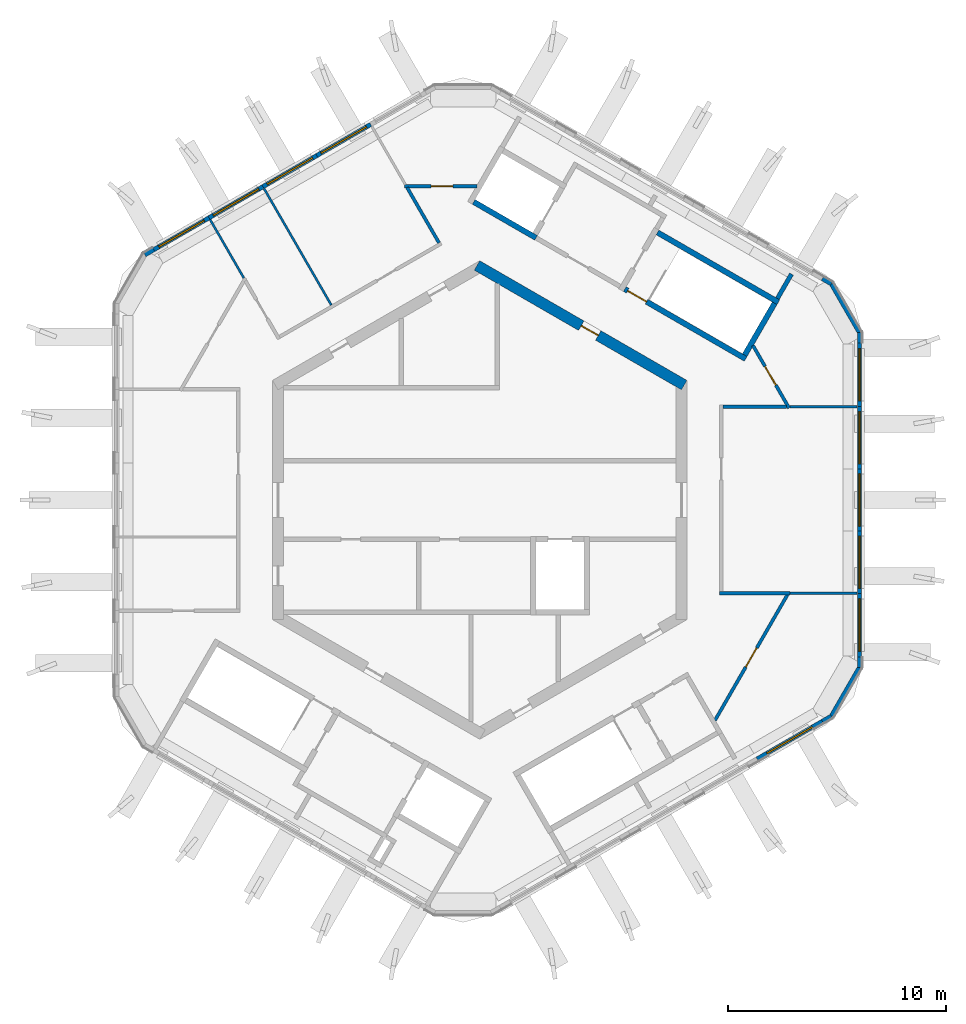
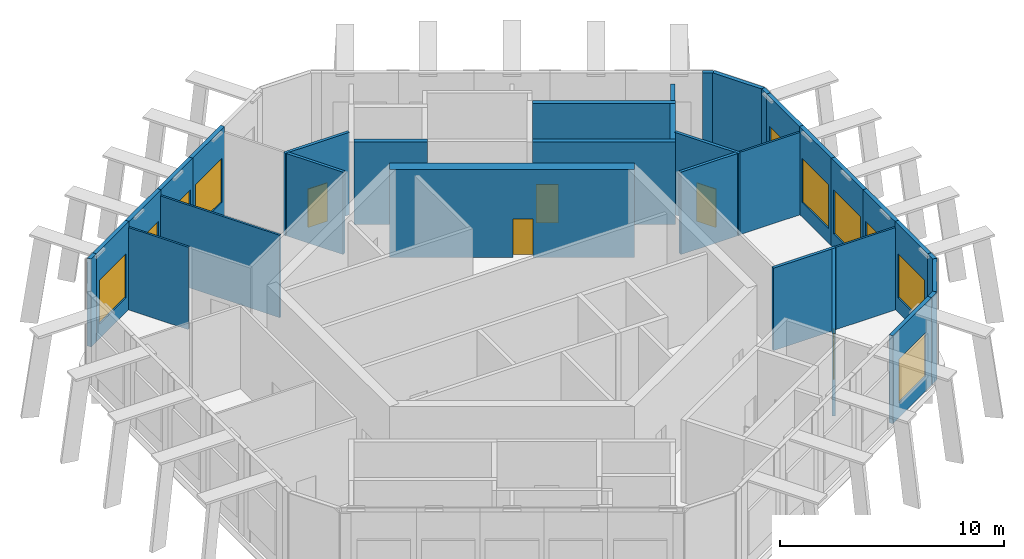
# One storey, part 4 of 8: 33 walls, 10 windows, 5 doors, 15 openings.
"""IFC4 building model written with IfcOpenShell, lengths in metres."""

import ifcopenshell
import ifcopenshell.guid

model = None  # the IFC model being written
_history = None  # IfcOwnerHistory: only IFC2X3 demands one
_inside = {}  # id of a spatial element -> (the spatial element, [elements in it])
_under = {}  # id of a project, library or spatial element -> (it, [spatial elements below it])
_declared = {}  # id of a project -> (the project, [libraries it declares])
_typed = {}  # id of a type object -> (the type object, [elements of that type])
_made_of = {}  # id of a material, layer set ... -> (it, [elements and type objects made of it])


def new_model(schema):
    """Start an empty IFC model of exactly this schema.

    Asked for "IFC4X3", IfcOpenShell would pick the latest addendum, in which some entities
    have other attributes; the version numbers below select the first issue.
    IFC2X3 requires an IfcOwnerHistory on every rooted entity: one is made here for all.
    """
    global model, _history
    if schema == "IFC4X3":
        model = ifcopenshell.file(schema_version=(4, 3, 0, 0))
    else:
        model = ifcopenshell.file(schema=schema)
    _inside.clear()
    _under.clear()
    _declared.clear()
    _typed.clear()
    _made_of.clear()
    _history = None
    if model.schema == "IFC2X3":
        org = make("IfcOrganization", Name="unknown")
        user = make(
            "IfcPersonAndOrganization",
            ThePerson=make("IfcPerson", FamilyName="unknown"),
            TheOrganization=org,
        )
        app = make(
            "IfcApplication",
            ApplicationDeveloper=org,
            Version="unknown",
            ApplicationFullName="unknown",
            ApplicationIdentifier="unknown",
        )
        _history = make(
            "IfcOwnerHistory",
            OwningUser=user,
            OwningApplication=app,
            ChangeAction="ADDED",
            CreationDate=0,
        )
    return model


def make(cls, **values):
    """One entity of the class cls with the attributes given. An attribute that is None is left unset."""
    return model.create_entity(
        cls, **{name: value for name, value in values.items() if value is not None}
    )


def rooted(cls, **values):
    """An entity with a GlobalId (a new one), such as an element, a storey or a relation."""
    return make(cls, GlobalId=ifcopenshell.guid.new(), OwnerHistory=_history, **values)


def si_unit(unit_type, name, prefix=None):
    """IfcSIUnit, for example si_unit("LENGTHUNIT", "METRE", prefix="MILLI")."""
    return make("IfcSIUnit", UnitType=unit_type, Prefix=prefix, Name=name)


def assignment(units):
    """IfcUnitAssignment: the units of a project."""
    return None if units is None else make("IfcUnitAssignment", Units=units)


def point(xyz):
    """IfcCartesianPoint."""
    return None if xyz is None else make("IfcCartesianPoint", Coordinates=xyz)


def direction(xyz):
    """IfcDirection."""
    return None if xyz is None else make("IfcDirection", DirectionRatios=xyz)


def frame(location, z_axis=None, x_axis=None):
    """IfcAxis2Placement3D, a coordinate frame: its origin and axes. An axis left out is left unset."""
    return make(
        "IfcAxis2Placement3D",
        Location=point(location),
        Axis=direction(z_axis),
        RefDirection=direction(x_axis),
    )


def frame_2d(location, x_axis=None):
    """IfcAxis2Placement2D, a coordinate frame in the plane: its origin and x axis."""
    return make(
        "IfcAxis2Placement2D", Location=point(location), RefDirection=direction(x_axis)
    )


def origin():
    """The frame at (0, 0, 0) with its axes left unset."""
    return frame((0.0, 0.0, 0.0))


def place(relative_to, where):
    """IfcLocalPlacement: puts the frame where relative to a parent placement (None: the world)."""
    return make(
        "IfcLocalPlacement", PlacementRelTo=relative_to, RelativePlacement=where
    )


def context(
    kind, dimensions, precision=None, world=None, true_north=None, identifier=None
):
    """IfcGeometricRepresentationContext, for example the 3D "Model" context."""
    return make(
        "IfcGeometricRepresentationContext",
        ContextIdentifier=identifier,
        ContextType=kind,
        CoordinateSpaceDimension=dimensions,
        Precision=precision,
        WorldCoordinateSystem=world,
        TrueNorth=true_north,
    )


def subcontext(parent, identifier, kind, view, scale=None):
    """IfcGeometricRepresentationSubContext, for example "Body" below "Model"."""
    return make(
        "IfcGeometricRepresentationSubContext",
        ContextIdentifier=identifier,
        ContextType=kind,
        ParentContext=parent,
        TargetScale=scale,
        TargetView=view,
    )


def project(units=None, contexts=None):
    """IfcProject with its units and contexts."""
    return rooted(
        "IfcProject",
        Name="project",
        RepresentationContexts=contexts,
        UnitsInContext=assignment(units),
    )


def spatial(cls, under=None, at=None, **own):
    """A site, building, storey or space (cls), placed at a placement, below another one or the project."""
    s = rooted(cls, ObjectPlacement=at, **own)
    if under is not None:
        _under.setdefault(under.id(), (under, []))[1].append(s)
    return s


def profile(cls, at=None, kind="AREA", **sizes):
    """A parametric profile (cls). Its sizes go by their IFC names, for example OverallWidth=200.0."""
    return make(cls, ProfileType=kind, Position=at, **sizes)


def rectangle(**sizes):
    """IfcRectangleProfileDef."""
    return profile("IfcRectangleProfileDef", **sizes)


def extrude(swept, where, along, depth):
    """IfcExtrudedAreaSolid: the profile swept, set in the frame where, extruded along a direction by depth."""
    return make(
        "IfcExtrudedAreaSolid",
        SweptArea=swept,
        Position=where,
        ExtrudedDirection=direction(along),
        Depth=depth,
    )


def shape(context_of_items, identifier, shape_type, items):
    """IfcShapeRepresentation: the items that make up one representation, for example the "Body"."""
    return make(
        "IfcShapeRepresentation",
        ContextOfItems=context_of_items,
        RepresentationIdentifier=identifier,
        RepresentationType=shape_type,
        Items=items,
    )


def material(Name=None, Category=None):
    """IfcMaterial."""
    return make("IfcMaterial", Name=Name, Category=Category)


def layer(
    of_material, thickness, ventilated=None, Name=None, Category=None, Priority=None
):
    """IfcMaterialLayer: one layer of a wall or slab, of a material (None: an air gap)."""
    return make(
        "IfcMaterialLayer",
        Material=of_material,
        LayerThickness=thickness,
        IsVentilated=ventilated,
        Name=Name,
        Category=Category,
        Priority=Priority,
    )


def layer_set(layers, Name=None):
    """IfcMaterialLayerSet."""
    return make("IfcMaterialLayerSet", MaterialLayers=layers, LayerSetName=Name)


def made_of(thing, what):
    """Note that an element or type object is made of a material, layer set ...; save() writes the relation."""
    if what is not None:
        _made_of.setdefault(what.id(), (what, []))[1].append(thing)
    return thing


def type_object(cls, material=None, **own):
    """A type object (cls), such as IfcWallType, which elements share."""
    return made_of(rooted(cls, **own), material)


def element(
    cls,
    number,
    at=None,
    inside=None,
    cuts=None,
    type_object=None,
    material=None,
    context=None,
    identifier="Body",
    shape_type=None,
    held_by="IfcProductDefinitionShape",
    body=None,
    shapes=None,
    **own,
):
    """One element of the class cls, such as IfcWall. Its Tag is "e" and its number.

    at: its placement. inside: the storey or other place that contains it. cuts: it is an
    opening in that element (IfcRelVoidsElement). A single representation is given by context,
    identifier, shape_type and body (its items); several are given by shapes. held_by: the class
    of the entity that holds the representations. save() writes the other relations.
    """
    e = rooted(cls, Tag="e%d" % number, ObjectPlacement=at, **own)
    if body is not None:
        shapes = [shape(context, identifier, shape_type, body)]
    if shapes is not None:
        e.Representation = make(held_by, Representations=shapes)
    if inside is not None:
        _inside.setdefault(inside.id(), (inside, []))[1].append(e)
    if cuts is not None:
        rooted(
            "IfcRelVoidsElement", RelatingBuildingElement=cuts, RelatedOpeningElement=e
        )
    if type_object is not None:
        _typed.setdefault(type_object.id(), (type_object, []))[1].append(e)
    return made_of(e, material)


def fill(opening, filler):
    """IfcRelFillsElement: the door or window that sits in an opening."""
    return rooted(
        "IfcRelFillsElement",
        RelatingOpeningElement=opening,
        RelatedBuildingElement=filler,
    )


def aggregate(whole, parts):
    """IfcRelAggregates: a whole, such as a stair, and the parts it consists of."""
    return rooted("IfcRelAggregates", RelatingObject=whole, RelatedObjects=parts)


def save(model, path):
    """Write the relations noted so far, then the file.

    IfcRelAggregates (storeys below a building ...), IfcRelContainedInSpatialStructure (elements
    in a storey), IfcRelDefinesByType, IfcRelAssociatesMaterial and IfcRelDeclares: one each for
    every whole, place, type object, material and project.
    """
    for whole, parts in _under.values():
        aggregate(whole, parts)
    for where, things in _inside.values():
        rooted(
            "IfcRelContainedInSpatialStructure",
            RelatedElements=things,
            RelatingStructure=where,
        )
    for kind, things in _typed.values():
        rooted("IfcRelDefinesByType", RelatedObjects=things, RelatingType=kind)
    for what, things in _made_of.values():
        rooted("IfcRelAssociatesMaterial", RelatedObjects=things, RelatingMaterial=what)
    for by, libraries in _declared.values():
        rooted("IfcRelDeclares", RelatingContext=by, RelatedDefinitions=libraries)
    model.write(path)


model = new_model("IFC4")

# Units and contexts
model_context = context("Model", 3, precision=1e-05, world=origin(), true_north=direction((0.0, 1.0)))
body_context = subcontext(model_context, "Body", "Model", "MODEL_VIEW")
ifc_project = project(units=[si_unit("LENGTHUNIT", "METRE"), si_unit("AREAUNIT", "SQUARE_METRE"), si_unit("VOLUMEUNIT", "CUBIC_METRE"), si_unit("PLANEANGLEUNIT", "RADIAN"), si_unit("MASSUNIT", "GRAM", prefix="KILO")], contexts=[model_context])

# Site, building, storey
site_placement = place(None, origin())
site = spatial("IfcSite", under=ifc_project, at=site_placement, CompositionType="ELEMENT")
building_placement = place(site_placement, origin())
building = spatial("IfcBuilding", under=site, at=building_placement, Name="Ayvan Gate Tower", CompositionType="ELEMENT")
storey_placement = place(building_placement, frame((0.0, 0.0, 262.89990234375)))
storey = spatial("IfcBuildingStorey", under=building, at=storey_placement, Name="L70", CompositionType="ELEMENT", Elevation=262.89990234375)

# Wall, opening, door
ifc_material_1 = material(Name="Concrete C60/75", Category="concrete")
ifc_layer_1 = layer(ifc_material_1, 0.5)
ifc_layer_set_1 = layer_set([ifc_layer_1], Name="Concrete C60/75")
wall_type_1 = type_object("IfcWallType", Name="Core wall 500 C60/75", PredefinedType="SHEAR", material=ifc_layer_set_1)
wall_1_placement = place(storey_placement, frame((9.375, 5.268310546875, 0.0), z_axis=(0.0, 0.0, 1.0), x_axis=(-0.866023993627, 0.500002442456, 0.0)))
wall_1 = element("IfcWall", 1, at=wall_1_placement, inside=storey, type_object=wall_type_1, Name="CORE-L70-1", PredefinedType="SHEAR", context=body_context, shape_type="SweptSolid", body=[
    extrude(rectangle(XDim=10.9697265625, YDim=0.5, at=frame_2d((5.48486328125, 0.0))), origin(), (0.0, 0.0, 1.0), 4.800048828125),
])
opening_1_placement = place(wall_1_placement, frame((4.55029296875, 0.0, 0.0)))
opening_1 = element("IfcOpeningElement", 2, at=opening_1_placement, cuts=wall_1, Name="Opening L70-D26", PredefinedType="OPENING", context=body_context, shape_type="SweptSolid", body=[
    extrude(rectangle(XDim=0.89990234375, YDim=2.10009765625, at=frame_2d((0.449951171875, 1.050048828125))), frame((0.0, 0.260009765625, 0.0), z_axis=(0.0, -1.0, 0.0), x_axis=(1.0, 0.0, 0.0)), (0.0, 0.0, 1.0), 0.52001953125),
])
ifc_material_2 = material(Name="Timber door leaf", Category="wood")
door_type_1 = type_object("IfcDoorType", Name="DT-900", OperationType="NOTDEFINED", PredefinedType="DOOR", material=ifc_material_2)
door_1_placement = place(opening_1_placement, origin())
door_1 = element("IfcDoor", 3, at=door_1_placement, inside=storey, type_object=door_type_1, Name="CD-L70-26", OperationType="SINGLE_SWING_RIGHT", OverallHeight=2.10009765625, OverallWidth=0.89990234375, PredefinedType="DOOR", context=body_context, shape_type="SweptSolid", body=[
    extrude(rectangle(XDim=0.89990234375, YDim=2.10009765625, at=frame_2d((0.449951171875, 1.050048828125))), frame((0.0, 0.02490234375, 0.0), z_axis=(0.0, -1.0, 0.0), x_axis=(1.0, 0.0, 0.0)), (0.0, 0.0, 1.0), 0.050048828125),
])
fill(opening_1, door_1)

# Wall, opening, window
ifc_material_3 = material(Name="Pale metal cladding on insulated wall")
ifc_layer_2 = layer(ifc_material_3, 0.199951171875)
ifc_layer_set_2 = layer_set([ifc_layer_2], Name="Pale metal cladding on insulated wall")
wall_type_2 = type_object("IfcWallType", Name="Louvred plant wall 200", PredefinedType="SOLIDWALL", material=ifc_layer_set_2)
wall_2_placement = place(storey_placement, frame((-5.001220703125, 17.21875, 0.0), z_axis=(0.0, 0.0, 1.0), x_axis=(-0.866027356191, -0.499996618317, 0.0)))
wall_2 = element("IfcWall", 4, at=wall_2_placement, inside=storey, type_object=wall_type_2, Name="EW:L70:F00:1", PredefinedType="SOLIDWALL", context=body_context, shape_type="SweptSolid", body=[
    extrude(rectangle(XDim=2.85205078125, YDim=0.199951171875, at=frame_2d((1.426025390625, 0.0))), origin(), (0.0, 0.0, 1.0), 4.800048828125),
])
opening_2_placement = place(wall_2_placement, frame((0.22607421875, 0.0, 0.800048828125)))
opening_2 = element("IfcOpeningElement", 5, at=opening_2_placement, cuts=wall_2, Name="Opening W-L", PredefinedType="OPENING", context=body_context, shape_type="SweptSolid", body=[
    extrude(rectangle(XDim=2.39990234375, YDim=2.39990234375, at=frame_2d((1.199951171875, 1.199951171875))), frame((0.0, 0.10986328125, 0.0), z_axis=(0.0, -1.0, 0.0), x_axis=(1.0, 0.0, 0.0)), (0.0, 0.0, 1.0), 0.219970703125),
])
ifc_material_4 = material(Name="Anodised aluminium louvre", Category="aluminium")
window_type = type_object("IfcWindowType", Name="Louvre intake W-L", PartitioningType="DOUBLE_PANEL_VERTICAL", PredefinedType="WINDOW", material=ifc_material_4)
window_1_placement = place(opening_2_placement, origin())
window_1 = element("IfcWindow", 6, at=window_1_placement, inside=storey, type_object=window_type, Name="Louvre intake L70.0.1", OverallHeight=2.39990234375, OverallWidth=2.39990234375, PartitioningType="SINGLE_PANEL", PredefinedType="WINDOW", context=body_context, shape_type="SweptSolid", body=[
    extrude(rectangle(XDim=2.39990234375, YDim=2.39990234375, at=frame_2d((1.199951171875, 1.199951171875))), frame((0.0, 0.030029296875, 0.0), z_axis=(0.0, -1.0, 0.0), x_axis=(1.0, 0.0, 0.0)), (0.0, 0.0, 1.0), 0.06005859375),
])
fill(opening_2, window_1)

wall_3_placement = place(storey_placement, frame((-7.47119140625, 15.792724609375, 0.0), z_axis=(0.0, 0.0, 1.0), x_axis=(-0.8660059538, -0.500033686847, 0.0)))
wall_3 = element("IfcWall", 7, at=wall_3_placement, inside=storey, type_object=wall_type_2, Name="EW:L70:F00:2", PredefinedType="SOLIDWALL", context=body_context, shape_type="SweptSolid", body=[
    extrude(rectangle(XDim=2.851806640625, YDim=0.199951171875, at=frame_2d((1.42578125, 0.0))), origin(), (0.0, 0.0, 1.0), 4.800048828125),
])
opening_3_placement = place(wall_3_placement, frame((0.22607421875, 0.0, 0.800048828125)))
opening_3 = element("IfcOpeningElement", 8, at=opening_3_placement, cuts=wall_3, Name="Opening W-L", PredefinedType="OPENING", context=body_context, shape_type="SweptSolid", body=[
    extrude(rectangle(XDim=2.39990234375, YDim=2.39990234375, at=frame_2d((1.199951171875, 1.199951171875))), frame((0.0, 0.10986328125, 0.0), z_axis=(0.0, -1.0, 0.0), x_axis=(1.0, 0.0, 0.0)), (0.0, 0.0, 1.0), 0.219970703125),
])
window_2_placement = place(opening_3_placement, origin())
window_2 = element("IfcWindow", 9, at=window_2_placement, inside=storey, type_object=window_type, Name="Louvre intake L70.0.2", OverallHeight=2.39990234375, OverallWidth=2.39990234375, PartitioningType="SINGLE_PANEL", PredefinedType="WINDOW", context=body_context, shape_type="SweptSolid", body=[
    extrude(rectangle(XDim=2.39990234375, YDim=2.39990234375, at=frame_2d((1.199951171875, 1.199951171875))), frame((0.0, 0.030029296875, 0.0), z_axis=(0.0, -1.0, 0.0), x_axis=(1.0, 0.0, 0.0)), (0.0, 0.0, 1.0), 0.06005859375),
])
fill(opening_3, window_2)

wall_4_placement = place(storey_placement, frame((-9.94091796875, 14.36669921875, 0.0), z_axis=(0.0, 0.0, 1.0), x_axis=(-0.866038819146, -0.499976763192, 0.0)))
wall_4 = element("IfcWall", 10, at=wall_4_placement, inside=storey, type_object=wall_type_2, Name="EW:L70:F00:3", PredefinedType="SOLIDWALL", context=body_context, shape_type="SweptSolid", body=[
    extrude(rectangle(XDim=2.853271484375, YDim=0.199951171875, at=frame_2d((1.4267578125, 0.0))), origin(), (0.0, 0.0, 1.0), 4.800048828125),
])
opening_4_placement = place(wall_4_placement, frame((0.2265625, 0.0, 0.800048828125)))
opening_4 = element("IfcOpeningElement", 11, at=opening_4_placement, cuts=wall_4, Name="Opening W-L", PredefinedType="OPENING", context=body_context, shape_type="SweptSolid", body=[
    extrude(rectangle(XDim=2.39990234375, YDim=2.39990234375, at=frame_2d((1.199951171875, 1.199951171875))), frame((0.0, 0.10986328125, 0.0), z_axis=(0.0, -1.0, 0.0), x_axis=(1.0, 0.0, 0.0)), (0.0, 0.0, 1.0), 0.219970703125),
])
window_3_placement = place(opening_4_placement, origin())
window_3 = element("IfcWindow", 12, at=window_3_placement, inside=storey, type_object=window_type, Name="Louvre intake L70.0.3", OverallHeight=2.39990234375, OverallWidth=2.39990234375, PartitioningType="SINGLE_PANEL", PredefinedType="WINDOW", context=body_context, shape_type="SweptSolid", body=[
    extrude(rectangle(XDim=2.39990234375, YDim=2.39990234375, at=frame_2d((1.199951171875, 1.199951171875))), frame((0.0, 0.030029296875, 0.0), z_axis=(0.0, -1.0, 0.0), x_axis=(1.0, 0.0, 0.0)), (0.0, 0.0, 1.0), 0.06005859375),
])
fill(opening_4, window_3)

wall_5_placement = place(storey_placement, frame((-12.411865234375, 12.940185546875, 0.0), z_axis=(0.0, 0.0, 1.0), x_axis=(-0.866028329077, -0.499994933211, 0.0)))
wall_5 = element("IfcWall", 13, at=wall_5_placement, inside=storey, type_object=wall_type_2, Name="EW:L70:F00:4", PredefinedType="SOLIDWALL", context=body_context, shape_type="SweptSolid", body=[
    extrude(rectangle(XDim=2.92138671875, YDim=0.199951171875, at=frame_2d((1.460693359375, 0.0))), origin(), (0.0, 0.0, 1.0), 4.800048828125),
])
opening_5_placement = place(wall_5_placement, frame((0.2607421875, 0.0, 0.800048828125)))
opening_5 = element("IfcOpeningElement", 14, at=opening_5_placement, cuts=wall_5, Name="Opening W-L", PredefinedType="OPENING", context=body_context, shape_type="SweptSolid", body=[
    extrude(rectangle(XDim=2.39990234375, YDim=2.39990234375, at=frame_2d((1.199951171875, 1.199951171875))), frame((0.0, 0.10986328125, 0.0), z_axis=(0.0, -1.0, 0.0), x_axis=(1.0, 0.0, 0.0)), (0.0, 0.0, 1.0), 0.219970703125),
])
window_4_placement = place(opening_5_placement, origin())
window_4 = element("IfcWindow", 15, at=window_4_placement, inside=storey, type_object=window_type, Name="Louvre intake L70.0.4", OverallHeight=2.39990234375, OverallWidth=2.39990234375, PartitioningType="SINGLE_PANEL", PredefinedType="WINDOW", context=body_context, shape_type="SweptSolid", body=[
    extrude(rectangle(XDim=2.39990234375, YDim=2.39990234375, at=frame_2d((1.199951171875, 1.199951171875))), frame((0.0, 0.030029296875, 0.0), z_axis=(0.0, -1.0, 0.0), x_axis=(1.0, 0.0, 0.0)), (0.0, 0.0, 1.0), 0.06005859375),
])
fill(opening_5, window_4)

# Wall
wall_6_placement = place(storey_placement, frame((-14.94189453125, 11.4794921875, 0.0), z_axis=(0.0, 0.0, 1.0), x_axis=(-0.865988727248, -0.500063520245, 0.0)))
element("IfcWall", 16, at=wall_6_placement, inside=storey, type_object=wall_type_2, Name="EW:L70:C01:0", PredefinedType="SOLIDWALL", context=body_context, shape_type="SweptSolid", body=[
    extrude(rectangle(XDim=0.47509765625, YDim=0.199951171875, at=frame_2d((0.237548828125, 0.0))), origin(), (0.0, 0.0, 1.0), 4.800048828125),
])

# Wall, opening, window
wall_7_placement = place(storey_placement, frame((12.718505859375, -11.876220703125, 0.0), z_axis=(0.0, 0.0, 1.0), x_axis=(0.866064358114, 0.499932523051, 0.0)))
wall_7 = element("IfcWall", 17, at=wall_7_placement, inside=storey, type_object=wall_type_2, Name="EW:L70:F06:4", PredefinedType="SOLIDWALL", context=body_context, shape_type="SweptSolid", body=[
    extrude(rectangle(XDim=3.4541015625, YDim=0.199951171875, at=frame_2d((1.72705078125, 0.0))), origin(), (0.0, 0.0, 1.0), 4.800048828125),
])
opening_6_placement = place(wall_7_placement, frame((0.527099609375, 0.0, 0.800048828125)))
opening_6 = element("IfcOpeningElement", 18, at=opening_6_placement, cuts=wall_7, Name="Opening W-L", PredefinedType="OPENING", context=body_context, shape_type="SweptSolid", body=[
    extrude(rectangle(XDim=2.39990234375, YDim=2.39990234375, at=frame_2d((1.199951171875, 1.199951171875))), frame((0.0, 0.10986328125, 0.0), z_axis=(0.0, -1.0, 0.0), x_axis=(1.0, 0.0, 0.0)), (0.0, 0.0, 1.0), 0.219970703125),
])
window_5_placement = place(opening_6_placement, origin())
window_5 = element("IfcWindow", 19, at=window_5_placement, inside=storey, type_object=window_type, Name="Louvre intake L70.6.4", OverallHeight=2.39990234375, OverallWidth=2.39990234375, PartitioningType="SINGLE_PANEL", PredefinedType="WINDOW", context=body_context, shape_type="SweptSolid", body=[
    extrude(rectangle(XDim=2.39990234375, YDim=2.39990234375, at=frame_2d((1.199951171875, 1.199951171875))), frame((0.0, 0.030029296875, 0.0), z_axis=(0.0, -1.0, 0.0), x_axis=(1.0, 0.0, 0.0)), (0.0, 0.0, 1.0), 0.06005859375),
])
fill(opening_6, window_5)

# Walls
wall_8_placement = place(storey_placement, frame((15.7099609375, -10.1494140625, 0.0), z_axis=(0.0, 0.0, 1.0), x_axis=(0.865860123781, 0.500286164156, 0.0)))
element("IfcWall", 20, at=wall_8_placement, inside=storey, type_object=wall_type_2, Name="EW:L70:C07:0", PredefinedType="SOLIDWALL", context=body_context, shape_type="SweptSolid", body=[
    extrude(rectangle(XDim=0.474853515625, YDim=0.199951171875, at=frame_2d((0.2373046875, 0.0))), origin(), (0.0, 0.0, 1.0), 4.800048828125),
])
wall_9_placement = place(storey_placement, frame((16.12109375, -9.911865234375, 0.0), z_axis=(0.0, 0.0, 1.0), x_axis=(0.500063394028, 0.865988800131, 0.0)))
element("IfcWall", 21, at=wall_9_placement, inside=storey, type_object=wall_type_2, Name="EW:L70:C07:1", PredefinedType="SOLIDWALL", context=body_context, shape_type="SweptSolid", body=[
    extrude(rectangle(XDim=2.582763671875, YDim=0.199951171875, at=frame_2d((1.29150390625, 0.0))), origin(), (0.0, 0.0, 1.0), 4.800048828125),
])
wall_10_placement = place(storey_placement, frame((17.41259765625, -7.67529296875, 0.0), z_axis=(0.0, 0.0, 1.0), x_axis=(0.0, 1.0, 0.0)))
element("IfcWall", 22, at=wall_10_placement, inside=storey, type_object=wall_type_2, Name="EW:L70:C07:2", PredefinedType="SOLIDWALL", context=body_context, shape_type="SweptSolid", body=[
    extrude(rectangle(XDim=0.47509765625, YDim=0.199951171875, at=frame_2d((0.237548828125, 0.0))), origin(), (0.0, 0.0, 1.0), 4.800048828125),
])

# Wall, opening, window
wall_11_placement = place(storey_placement, frame((17.41259765625, -7.2001953125, 0.0), z_axis=(0.0, 0.0, 1.0), x_axis=(0.0, 1.0, 0.0)))
wall_11 = element("IfcWall", 23, at=wall_11_placement, inside=storey, type_object=wall_type_2, Name="EW:L70:F08:0", PredefinedType="SOLIDWALL", context=body_context, shape_type="SweptSolid", body=[
    extrude(rectangle(XDim=2.921875, YDim=0.199951171875, at=frame_2d((1.4609375, 0.0))), origin(), (0.0, 0.0, 1.0), 4.800048828125),
])
opening_7_placement = place(wall_11_placement, frame((0.260986328125, 0.0, 0.800048828125)))
opening_7 = element("IfcOpeningElement", 24, at=opening_7_placement, cuts=wall_11, Name="Opening W-L", PredefinedType="OPENING", context=body_context, shape_type="SweptSolid", body=[
    extrude(rectangle(XDim=2.39990234375, YDim=2.39990234375, at=frame_2d((1.199951171875, 1.199951171875))), frame((0.0, 0.10986328125, 0.0), z_axis=(0.0, -1.0, 0.0), x_axis=(1.0, 0.0, 0.0)), (0.0, 0.0, 1.0), 0.219970703125),
])
window_6_placement = place(opening_7_placement, origin())
window_6 = element("IfcWindow", 25, at=window_6_placement, inside=storey, type_object=window_type, Name="Louvre intake L70.8.0", OverallHeight=2.39990234375, OverallWidth=2.39990234375, PartitioningType="SINGLE_PANEL", PredefinedType="WINDOW", context=body_context, shape_type="SweptSolid", body=[
    extrude(rectangle(XDim=2.39990234375, YDim=2.39990234375, at=frame_2d((1.199951171875, 1.199951171875))), frame((0.0, 0.030029296875, 0.0), z_axis=(0.0, -1.0, 0.0), x_axis=(1.0, 0.0, 0.0)), (0.0, 0.0, 1.0), 0.06005859375),
])
fill(opening_7, window_6)

wall_12_placement = place(storey_placement, frame((17.41259765625, -4.2783203125, 0.0), z_axis=(0.0, 0.0, 1.0), x_axis=(0.0, 1.0, 0.0)))
wall_12 = element("IfcWall", 26, at=wall_12_placement, inside=storey, type_object=wall_type_2, Name="EW:L70:F08:1", PredefinedType="SOLIDWALL", context=body_context, shape_type="SweptSolid", body=[
    extrude(rectangle(XDim=2.85205078125, YDim=0.199951171875, at=frame_2d((1.426025390625, 0.0))), origin(), (0.0, 0.0, 1.0), 4.800048828125),
])
opening_8_placement = place(wall_12_placement, frame((0.22607421875, 0.0, 0.800048828125)))
opening_8 = element("IfcOpeningElement", 27, at=opening_8_placement, cuts=wall_12, Name="Opening W-L", PredefinedType="OPENING", context=body_context, shape_type="SweptSolid", body=[
    extrude(rectangle(XDim=2.39990234375, YDim=2.39990234375, at=frame_2d((1.199951171875, 1.199951171875))), frame((0.0, 0.10986328125, 0.0), z_axis=(0.0, -1.0, 0.0), x_axis=(1.0, 0.0, 0.0)), (0.0, 0.0, 1.0), 0.219970703125),
])
window_7_placement = place(opening_8_placement, origin())
window_7 = element("IfcWindow", 28, at=window_7_placement, inside=storey, type_object=window_type, Name="Louvre intake L70.8.1", OverallHeight=2.39990234375, OverallWidth=2.39990234375, PartitioningType="SINGLE_PANEL", PredefinedType="WINDOW", context=body_context, shape_type="SweptSolid", body=[
    extrude(rectangle(XDim=2.39990234375, YDim=2.39990234375, at=frame_2d((1.199951171875, 1.199951171875))), frame((0.0, 0.030029296875, 0.0), z_axis=(0.0, -1.0, 0.0), x_axis=(1.0, 0.0, 0.0)), (0.0, 0.0, 1.0), 0.06005859375),
])
fill(opening_8, window_7)

wall_13_placement = place(storey_placement, frame((17.41259765625, -1.42626953125, 0.0), z_axis=(0.0, 0.0, 1.0), x_axis=(0.0, 1.0, 0.0)))
wall_13 = element("IfcWall", 29, at=wall_13_placement, inside=storey, type_object=wall_type_2, Name="EW:L70:F08:2", PredefinedType="SOLIDWALL", context=body_context, shape_type="SweptSolid", body=[
    extrude(rectangle(XDim=2.85205078125, YDim=0.199951171875, at=frame_2d((1.426025390625, 0.0))), origin(), (0.0, 0.0, 1.0), 4.800048828125),
])
opening_9_placement = place(wall_13_placement, frame((0.22607421875, 0.0, 0.800048828125)))
opening_9 = element("IfcOpeningElement", 30, at=opening_9_placement, cuts=wall_13, Name="Opening W-L", PredefinedType="OPENING", context=body_context, shape_type="SweptSolid", body=[
    extrude(rectangle(XDim=2.39990234375, YDim=2.39990234375, at=frame_2d((1.199951171875, 1.199951171875))), frame((0.0, 0.10986328125, 0.0), z_axis=(0.0, -1.0, 0.0), x_axis=(1.0, 0.0, 0.0)), (0.0, 0.0, 1.0), 0.219970703125),
])
window_8_placement = place(opening_9_placement, origin())
window_8 = element("IfcWindow", 31, at=window_8_placement, inside=storey, type_object=window_type, Name="Louvre intake L70.8.2", OverallHeight=2.39990234375, OverallWidth=2.39990234375, PartitioningType="SINGLE_PANEL", PredefinedType="WINDOW", context=body_context, shape_type="SweptSolid", body=[
    extrude(rectangle(XDim=2.39990234375, YDim=2.39990234375, at=frame_2d((1.199951171875, 1.199951171875))), frame((0.0, 0.030029296875, 0.0), z_axis=(0.0, -1.0, 0.0), x_axis=(1.0, 0.0, 0.0)), (0.0, 0.0, 1.0), 0.06005859375),
])
fill(opening_9, window_8)

wall_14_placement = place(storey_placement, frame((17.41259765625, 1.42578125, 0.0), z_axis=(0.0, 0.0, 1.0), x_axis=(0.0, 1.0, 0.0)))
wall_14 = element("IfcWall", 32, at=wall_14_placement, inside=storey, type_object=wall_type_2, Name="EW:L70:F08:3", PredefinedType="SOLIDWALL", context=body_context, shape_type="SweptSolid", body=[
    extrude(rectangle(XDim=2.85302734375, YDim=0.199951171875, at=frame_2d((1.426513671875, 0.0))), origin(), (0.0, 0.0, 1.0), 4.800048828125),
])
opening_10_placement = place(wall_14_placement, frame((0.2265625, 0.0, 0.800048828125)))
opening_10 = element("IfcOpeningElement", 33, at=opening_10_placement, cuts=wall_14, Name="Opening W-L", PredefinedType="OPENING", context=body_context, shape_type="SweptSolid", body=[
    extrude(rectangle(XDim=2.39990234375, YDim=2.39990234375, at=frame_2d((1.199951171875, 1.199951171875))), frame((0.0, 0.10986328125, 0.0), z_axis=(0.0, -1.0, 0.0), x_axis=(1.0, 0.0, 0.0)), (0.0, 0.0, 1.0), 0.219970703125),
])
window_9_placement = place(opening_10_placement, origin())
window_9 = element("IfcWindow", 34, at=window_9_placement, inside=storey, type_object=window_type, Name="Louvre intake L70.8.3", OverallHeight=2.39990234375, OverallWidth=2.39990234375, PartitioningType="SINGLE_PANEL", PredefinedType="WINDOW", context=body_context, shape_type="SweptSolid", body=[
    extrude(rectangle(XDim=2.39990234375, YDim=2.39990234375, at=frame_2d((1.199951171875, 1.199951171875))), frame((0.0, 0.030029296875, 0.0), z_axis=(0.0, -1.0, 0.0), x_axis=(1.0, 0.0, 0.0)), (0.0, 0.0, 1.0), 0.06005859375),
])
fill(opening_10, window_9)

wall_15_placement = place(storey_placement, frame((17.41259765625, 4.27880859375, 0.0), z_axis=(0.0, 0.0, 1.0), x_axis=(0.0, 1.0, 0.0)))
wall_15 = element("IfcWall", 35, at=wall_15_placement, inside=storey, type_object=wall_type_2, Name="EW:L70:F08:4", PredefinedType="SOLIDWALL", context=body_context, shape_type="SweptSolid", body=[
    extrude(rectangle(XDim=2.92138671875, YDim=0.199951171875, at=frame_2d((1.460693359375, 0.0))), origin(), (0.0, 0.0, 1.0), 4.800048828125),
])
opening_11_placement = place(wall_15_placement, frame((0.2607421875, 0.0, 0.800048828125)))
opening_11 = element("IfcOpeningElement", 36, at=opening_11_placement, cuts=wall_15, Name="Opening W-L", PredefinedType="OPENING", context=body_context, shape_type="SweptSolid", body=[
    extrude(rectangle(XDim=2.39990234375, YDim=2.39990234375, at=frame_2d((1.199951171875, 1.199951171875))), frame((0.0, 0.10986328125, 0.0), z_axis=(0.0, -1.0, 0.0), x_axis=(1.0, 0.0, 0.0)), (0.0, 0.0, 1.0), 0.219970703125),
])
window_10_placement = place(opening_11_placement, origin())
window_10 = element("IfcWindow", 37, at=window_10_placement, inside=storey, type_object=window_type, Name="Louvre intake L70.8.4", OverallHeight=2.39990234375, OverallWidth=2.39990234375, PartitioningType="SINGLE_PANEL", PredefinedType="WINDOW", context=body_context, shape_type="SweptSolid", body=[
    extrude(rectangle(XDim=2.39990234375, YDim=2.39990234375, at=frame_2d((1.199951171875, 1.199951171875))), frame((0.0, 0.030029296875, 0.0), z_axis=(0.0, -1.0, 0.0), x_axis=(1.0, 0.0, 0.0)), (0.0, 0.0, 1.0), 0.06005859375),
])
fill(opening_11, window_10)

# Walls
wall_16_placement = place(storey_placement, frame((17.41259765625, 7.2001953125, 0.0), z_axis=(0.0, 0.0, 1.0), x_axis=(0.0, 1.0, 0.0)))
element("IfcWall", 38, at=wall_16_placement, inside=storey, type_object=wall_type_2, Name="EW:L70:C09:0", PredefinedType="SOLIDWALL", context=body_context, shape_type="SweptSolid", body=[
    extrude(rectangle(XDim=0.47509765625, YDim=0.199951171875, at=frame_2d((0.237548828125, 0.0))), origin(), (0.0, 0.0, 1.0), 4.800048828125),
])
wall_17_placement = place(storey_placement, frame((17.41259765625, 7.67529296875, 0.0), z_axis=(0.0, 0.0, 1.0), x_axis=(-0.500063394028, 0.865988800131, 0.0)))
element("IfcWall", 39, at=wall_17_placement, inside=storey, type_object=wall_type_2, Name="EW:L70:C09:1", PredefinedType="SOLIDWALL", context=body_context, shape_type="SweptSolid", body=[
    extrude(rectangle(XDim=2.582763671875, YDim=0.199951171875, at=frame_2d((1.29150390625, 0.0))), origin(), (0.0, 0.0, 1.0), 4.800048828125),
])
wall_18_placement = place(storey_placement, frame((16.12109375, 9.911865234375, 0.0), z_axis=(0.0, 0.0, 1.0), x_axis=(-0.865860123781, 0.500286164156, 0.0)))
element("IfcWall", 40, at=wall_18_placement, inside=storey, type_object=wall_type_2, Name="EW:L70:C09:2", PredefinedType="SOLIDWALL", context=body_context, shape_type="SweptSolid", body=[
    extrude(rectangle(XDim=0.474853515625, YDim=0.199951171875, at=frame_2d((0.2373046875, 0.0))), origin(), (0.0, 0.0, 1.0), 4.800048828125),
])

# Wall, opening, door
ifc_material_5 = material(Name="Plasterboard on steel stud", Category="steel")
ifc_layer_3 = layer(ifc_material_5, 0.14990234375)
ifc_layer_set_3 = layer_set([ifc_layer_3], Name="Plasterboard on steel stud")
wall_type_3 = type_object("IfcWallType", Name="WT-CORR-150", PredefinedType="PARTITIONING", material=ifc_layer_set_3)
wall_19_placement = place(storey_placement, frame((-3.44384765625, 14.392578125, 0.0), z_axis=(0.0, 0.0, 1.0), x_axis=(1.0, 0.0, 0.0)))
wall_19 = element("IfcWall", 41, at=wall_19_placement, inside=storey, type_object=wall_type_3, Name="IW-L70-025", PredefinedType="PARTITIONING", context=body_context, shape_type="SweptSolid", body=[
    extrude(rectangle(XDim=3.314453125, YDim=0.14990234375, at=frame_2d((1.6572265625, 0.0))), origin(), (0.0, 0.0, 1.0), 4.5),
])
opening_12_placement = place(wall_19_placement, frame((1.212158203125, 0.0, 0.0)))
opening_12 = element("IfcOpeningElement", 42, at=opening_12_placement, cuts=wall_19, Name="Opening L70-D23", PredefinedType="OPENING", context=body_context, shape_type="SweptSolid", body=[
    extrude(rectangle(XDim=1.0, YDim=2.10009765625, at=frame_2d((0.5, 1.050048828125))), frame((0.0, 0.0849609375, 0.0), z_axis=(0.0, -1.0, 0.0), x_axis=(1.0, 0.0, 0.0)), (0.0, 0.0, 1.0), 0.169921875),
])
door_type_2 = type_object("IfcDoorType", Name="DT-1000", OperationType="NOTDEFINED", PredefinedType="DOOR", material=ifc_material_2)
door_2_placement = place(opening_12_placement, origin())
door_2 = element("IfcDoor", 43, at=door_2_placement, inside=storey, type_object=door_type_2, Name="ID-L70-023", OperationType="SINGLE_SWING_LEFT", OverallHeight=2.10009765625, OverallWidth=1.0, PredefinedType="DOOR", context=body_context, shape_type="SweptSolid", body=[
    extrude(rectangle(XDim=1.0, YDim=2.10009765625, at=frame_2d((0.5, 1.050048828125))), frame((0.0, 0.02490234375, 0.0), z_axis=(0.0, -1.0, 0.0), x_axis=(1.0, 0.0, 0.0)), (0.0, 0.0, 1.0), 0.050048828125),
])
fill(opening_12, door_2)

# Walls
wall_20_placement = place(storey_placement, frame((-1.8671875, 11.791259765625, 0.0), z_axis=(0.0, 0.0, 1.0), x_axis=(-0.499967823365, 0.866043980176, 0.0)))
element("IfcWall", 44, at=wall_20_placement, inside=storey, type_object=wall_type_3, Name="IW-L70-030", PredefinedType="PARTITIONING", context=body_context, shape_type="SweptSolid", body=[
    extrude(rectangle(XDim=2.928466796875, YDim=0.14990234375, at=frame_2d((1.46435546875, 0.0))), origin(), (0.0, 0.0, 1.0), 4.5),
])
wall_21_placement = place(storey_placement, frame((10.9951171875, -4.27880859375, 0.0), z_axis=(0.0, 0.0, 1.0), x_axis=(1.0, 0.0, 0.0)))
element("IfcWall", 45, at=wall_21_placement, inside=storey, type_object=wall_type_3, Name="IW-L70-064", PredefinedType="PARTITIONING", context=body_context, shape_type="SweptSolid", body=[
    extrude(rectangle(XDim=3.228515625, YDim=0.14990234375, at=frame_2d((1.6142578125, 0.0))), origin(), (0.0, 0.0, 1.0), 4.5),
])

# Wall, opening, door
wall_22_placement = place(storey_placement, frame((12.52880859375, 7.084228515625, 0.0), z_axis=(0.0, 0.0, 1.0), x_axis=(0.500028477648, -0.866008961582, 0.0)))
wall_22 = element("IfcWall", 46, at=wall_22_placement, inside=storey, type_object=wall_type_3, Name="IW-L70-067", PredefinedType="PARTITIONING", context=body_context, shape_type="SweptSolid", body=[
    extrude(rectangle(XDim=3.314697265625, YDim=0.14990234375, at=frame_2d((1.6572265625, 0.0))), origin(), (0.0, 0.0, 1.0), 4.5),
])
opening_13_placement = place(wall_22_placement, frame((1.1025390625, 0.0, 0.0)))
opening_13 = element("IfcOpeningElement", 47, at=opening_13_placement, cuts=wall_22, Name="Opening L70-D16", PredefinedType="OPENING", context=body_context, shape_type="SweptSolid", body=[
    extrude(rectangle(XDim=1.0, YDim=2.10009765625, at=frame_2d((0.5, 1.050048828125))), frame((0.0, 0.0849609375, 0.0), z_axis=(0.0, -1.0, 0.0), x_axis=(1.0, 0.0, 0.0)), (0.0, 0.0, 1.0), 0.169921875),
])
door_3_placement = place(opening_13_placement, origin())
door_3 = element("IfcDoor", 48, at=door_3_placement, inside=storey, type_object=door_type_2, Name="ID-L70-016", OperationType="SINGLE_SWING_RIGHT", OverallHeight=2.10009765625, OverallWidth=1.0, PredefinedType="DOOR", context=body_context, shape_type="SweptSolid", body=[
    extrude(rectangle(XDim=1.0, YDim=2.10009765625, at=frame_2d((0.5, 1.050048828125))), frame((0.0, 0.02490234375, 0.0), z_axis=(0.0, -1.0, 0.0), x_axis=(1.0, 0.0, 0.0)), (0.0, 0.0, 1.0), 0.050048828125),
])
fill(opening_13, door_3)

# Wall
wall_23_placement = place(storey_placement, frame((14.07373046875, 4.27880859375, 0.0), z_axis=(0.0, 0.0, 1.0), x_axis=(-1.0, 0.0, 0.0)))
element("IfcWall", 49, at=wall_23_placement, inside=storey, type_object=wall_type_3, Name="IW-L70-070", PredefinedType="PARTITIONING", context=body_context, shape_type="SweptSolid", body=[
    extrude(rectangle(XDim=2.9287109375, YDim=0.14990234375, at=frame_2d((1.46435546875, 0.0))), origin(), (0.0, 0.0, 1.0), 4.5),
])

# Wall, opening, door
wall_24_placement = place(storey_placement, frame((14.111083984375, -4.343505859375, 0.0), z_axis=(0.0, 0.0, 1.0), x_axis=(-0.499967020646, -0.866044443586, 0.0)))
wall_24 = element("IfcWall", 50, at=wall_24_placement, inside=storey, type_object=wall_type_3, Name="IW-L70-071", PredefinedType="PARTITIONING", context=body_context, shape_type="SweptSolid", body=[
    extrude(rectangle(XDim=6.65380859375, YDim=0.14990234375, at=frame_2d((3.326904296875, 0.0))), origin(), (0.0, 0.0, 1.0), 4.5),
])
opening_14_placement = place(wall_24_placement, frame((2.826904296875, 0.0, 0.0)))
opening_14 = element("IfcOpeningElement", 51, at=opening_14_placement, cuts=wall_24, Name="Opening L70-D17", PredefinedType="OPENING", context=body_context, shape_type="SweptSolid", body=[
    extrude(rectangle(XDim=1.0, YDim=2.10009765625, at=frame_2d((0.5, 1.050048828125))), frame((0.0, 0.0849609375, 0.0), z_axis=(0.0, -1.0, 0.0), x_axis=(1.0, 0.0, 0.0)), (0.0, 0.0, 1.0), 0.169921875),
])
door_4_placement = place(opening_14_placement, origin())
door_4 = element("IfcDoor", 52, at=door_4_placement, inside=storey, type_object=door_type_2, Name="ID-L70-017", OperationType="SINGLE_SWING_LEFT", OverallHeight=2.10009765625, OverallWidth=1.0, PredefinedType="DOOR", context=body_context, shape_type="SweptSolid", body=[
    extrude(rectangle(XDim=1.0, YDim=2.10009765625, at=frame_2d((0.5, 1.050048828125))), frame((0.0, 0.02490234375, 0.0), z_axis=(0.0, -1.0, 0.0), x_axis=(1.0, 0.0, 0.0)), (0.0, 0.0, 1.0), 0.050048828125),
])
fill(opening_14, door_4)

# Walls
ifc_layer_4 = layer(ifc_material_5, 0.10009765625)
ifc_layer_set_4 = layer_set([ifc_layer_4], Name="Plasterboard on steel stud")
wall_type_4 = type_object("IfcWallType", Name="WT-PART-100", PredefinedType="PARTITIONING", material=ifc_layer_set_4)
wall_25_placement = place(storey_placement, frame((-12.359619140625, 12.850341796875, 0.0), z_axis=(0.0, 0.0, 1.0), x_axis=(0.499943966227, -0.866057752481, 0.0)))
element("IfcWall", 53, at=wall_25_placement, inside=storey, type_object=wall_type_4, Name="IW-L70-005", PredefinedType="PARTITIONING", context=body_context, shape_type="SweptSolid", body=[
    extrude(rectangle(XDim=3.084716796875, YDim=0.10009765625, at=frame_2d((1.54248046875, 0.0))), origin(), (0.0, 0.0, 1.0), 4.5),
])
wall_26_placement = place(storey_placement, frame((-6.8076171875, 8.938720703125, 0.0), z_axis=(0.0, 0.0, 1.0), x_axis=(-0.49999446594, 0.866028598852, 0.0)))
element("IfcWall", 54, at=wall_26_placement, inside=storey, type_object=wall_type_4, Name="IW-L70-018", PredefinedType="PARTITIONING", context=body_context, shape_type="SweptSolid", body=[
    extrude(rectangle(XDim=6.16357421875, YDim=0.10009765625, at=frame_2d((3.081787109375, 0.0))), origin(), (0.0, 0.0, 1.0), 4.5),
])
for number, where, z_axis, x_axis, name in (
    (55, (14.2236328125, 4.27880859375, 0.0), (0.0, 0.0, 1.0), (1.0, 0.0, 0.0), "IW-L70-069"),
    (56, (17.30859375, -4.27880859375, 0.0), (0.0, 0.0, 1.0), (-1.0, 0.0, 0.0), "IW-L70-073"),
):
    element("IfcWall", number, at=place(storey_placement, frame(where, z_axis=z_axis, x_axis=x_axis)), inside=storey, type_object=wall_type_4, Name=name, PredefinedType="PARTITIONING", context=body_context, shape_type="SweptSolid", body=[
        extrude(rectangle(XDim=3.0849609375, YDim=0.10009765625, at=frame_2d((1.54248046875, 0.0))), origin(), (0.0, 0.0, 1.0), 4.5),
    ])
ifc_layer_5 = layer(ifc_material_5, 0.199951171875)
ifc_layer_set_5 = layer_set([ifc_layer_5], Name="Plasterboard on steel stud")
wall_type_5 = type_object("IfcWallType", Name="WT-PLUMB-200", PredefinedType="PLUMBINGWALL", material=ifc_layer_set_5)
wall_27_placement = place(storey_placement, frame((14.295166015625, 10.35986328125, 0.0), z_axis=(0.0, 0.0, 1.0), x_axis=(-0.499972779981, -0.866041118699, 0.0)))
element("IfcWall", 57, at=wall_27_placement, inside=storey, type_object=wall_type_5, Name="IW-L70-072", PredefinedType="PLUMBINGWALL", context=body_context, shape_type="SweptSolid", body=[
    extrude(rectangle(XDim=1.29443359375, YDim=0.199951171875, at=frame_2d((0.647216796875, 0.0))), origin(), (0.0, 0.0, 1.0), 4.5),
])
ifc_material_6 = material(Name="Concrete C50/60", Category="concrete")
ifc_layer_6 = layer(ifc_material_6, 0.25)
ifc_layer_set_6 = layer_set([ifc_layer_6], Name="Concrete C50/60")
wall_type_6 = type_object("IfcWallType", Name="WT-RC-250", PredefinedType="SHEAR", material=ifc_layer_set_6)
wall_28_placement = place(storey_placement, frame((2.580810546875, 12.02001953125, 0.0), z_axis=(0.0, 0.0, 1.0), x_axis=(-0.866040211805, 0.499974350878, 0.0)))
element("IfcWall", 58, at=wall_28_placement, inside=storey, type_object=wall_type_6, Name="IW-L70-041", PredefinedType="SHEAR", context=body_context, shape_type="SweptSolid", body=[
    extrude(rectangle(XDim=3.300048828125, YDim=0.25, at=frame_2d((1.64990234375, 0.0))), origin(), (0.0, 0.0, 1.0), 4.5),
])
wall_29_placement = place(storey_placement, frame((8.151123046875, 12.26806640625, 0.0), z_axis=(0.0, 0.0, 1.0), x_axis=(0.866025499775, -0.499999833739, 0.0)))
element("IfcWall", 59, at=wall_29_placement, inside=storey, type_object=wall_type_6, Name="IW-L70-058", PredefinedType="SHEAR", context=body_context, shape_type="SweptSolid", body=[
    extrude(rectangle(XDim=6.39990234375, YDim=0.25, at=frame_2d((3.199951171875, 0.0))), origin(), (0.0, 0.0, 1.0), 4.5),
])

# Wall, opening, door
wall_30_placement = place(storey_placement, frame((12.193603515625, 6.469970703125, 0.0), z_axis=(0.0, 0.0, 1.0), x_axis=(-0.866025499775, 0.499999833739, 0.0)))
wall_30 = element("IfcWall", 60, at=wall_30_placement, inside=storey, type_object=wall_type_6, Name="IW-L70-066", PredefinedType="SHEAR", context=body_context, shape_type="SweptSolid", body=[
    extrude(rectangle(XDim=6.39990234375, YDim=0.25, at=frame_2d((3.199951171875, 0.0))), origin(), (0.0, 0.0, 1.0), 4.5),
])
opening_15_placement = place(wall_30_placement, frame((5.25, 0.0, 0.0)))
opening_15 = element("IfcOpeningElement", 61, at=opening_15_placement, cuts=wall_30, Name="Opening L70-D04", PredefinedType="OPENING", context=body_context, shape_type="SweptSolid", body=[
    extrude(rectangle(XDim=1.0, YDim=2.10009765625, at=frame_2d((0.5, 1.050048828125))), frame((0.0, 0.135009765625, 0.0), z_axis=(0.0, -1.0, 0.0), x_axis=(1.0, 0.0, 0.0)), (0.0, 0.0, 1.0), 0.27001953125),
])
door_5_placement = place(opening_15_placement, origin())
door_5 = element("IfcDoor", 62, at=door_5_placement, inside=storey, type_object=door_type_2, Name="ID-L70-004", OperationType="SINGLE_SWING_RIGHT", OverallHeight=2.10009765625, OverallWidth=1.0, PredefinedType="DOOR", context=body_context, shape_type="SweptSolid", body=[
    extrude(rectangle(XDim=1.0, YDim=2.10009765625, at=frame_2d((0.5, 1.050048828125))), frame((0.0, 0.02490234375, 0.0), z_axis=(0.0, -1.0, 0.0), x_axis=(1.0, 0.0, 0.0)), (0.0, 0.0, 1.0), 0.050048828125),
])
fill(opening_15, door_5)

# Wall
wall_31_placement = place(storey_placement, frame((12.14794921875, 6.640869140625, 0.0), z_axis=(0.0, 0.0, 1.0), x_axis=(0.500034990121, 0.866005201286, 0.0)))
element("IfcWall", 63, at=wall_31_placement, inside=storey, type_object=wall_type_6, Name="IW-L70-068", PredefinedType="SHEAR", context=body_context, shape_type="SweptSolid", body=[
    extrude(rectangle(XDim=2.749755859375, YDim=0.25, at=frame_2d((1.375, 0.0))), origin(), (0.0, 0.0, 1.0), 4.5),
])

save(model, "model.ifc")
